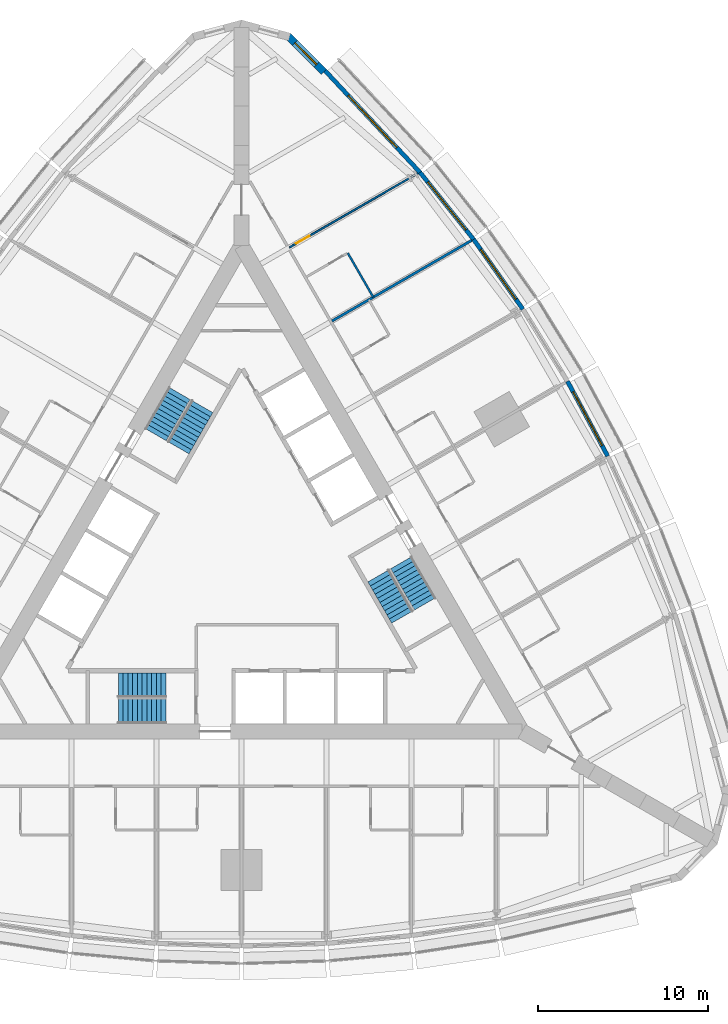
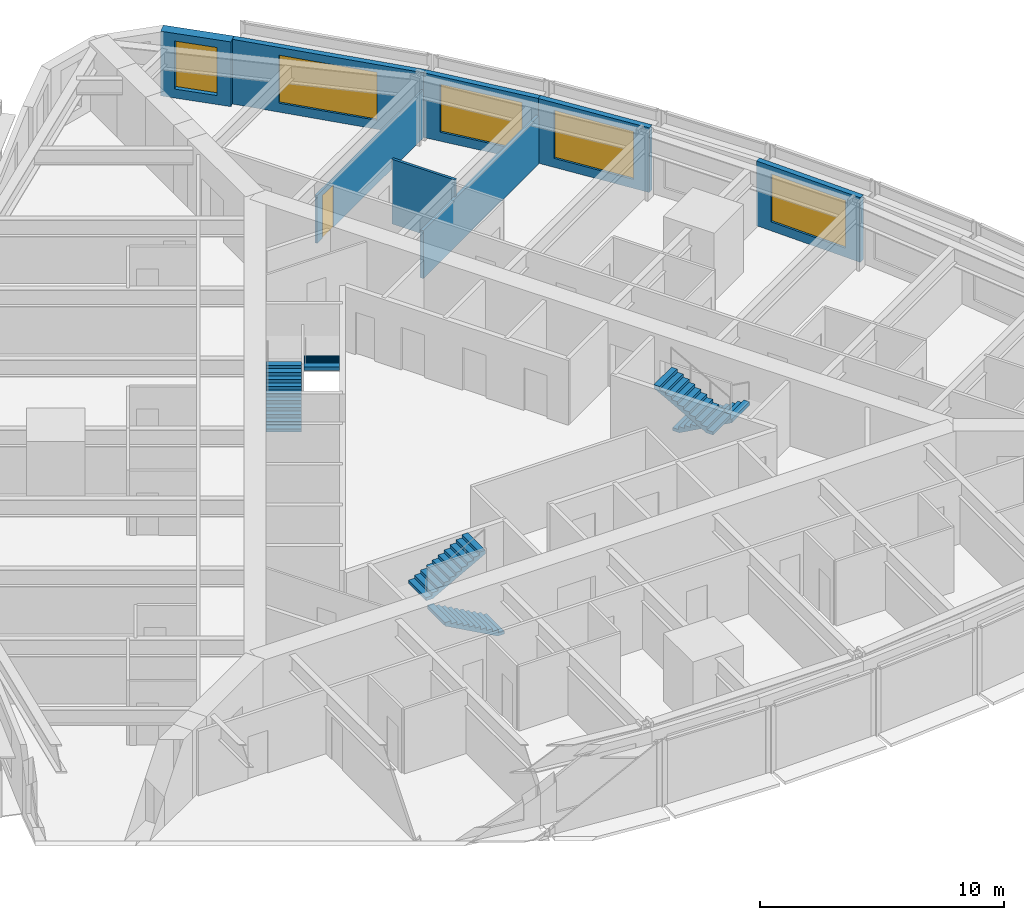
# One storey, part 13 of 14: 8 walls, 6 stair flights, 5 windows, 1 door, 6 openings, 3 elements without a shape of their own.
"""IFC4 building model written with IfcOpenShell, lengths in metres."""

from ifc_helpers import new_model, si_unit, direction, frame, frame_2d, origin, place, context, subcontext, project, spatial, polyline, rectangle, outline, extrude, material, layer, layer_set, type_object, element, fill, aggregate, save


model = new_model("IFC4")

# Units and contexts
model_context = context("Model", 3, precision=1e-05, world=origin(), true_north=direction((0.0, 1.0)))
body_context = subcontext(model_context, "Body", "Model", "MODEL_VIEW")
ifc_project = project(units=[si_unit("LENGTHUNIT", "METRE"), si_unit("AREAUNIT", "SQUARE_METRE"), si_unit("VOLUMEUNIT", "CUBIC_METRE"), si_unit("PLANEANGLEUNIT", "RADIAN"), si_unit("MASSUNIT", "GRAM", prefix="KILO")], contexts=[model_context])

# Site, building, storey
site_placement = place(None, origin())
site = spatial("IfcSite", under=ifc_project, at=site_placement, CompositionType="ELEMENT")
building_placement = place(site_placement, origin())
building = spatial("IfcBuilding", under=site, at=building_placement, Name="Trikona Tower", CompositionType="ELEMENT")
storey_placement = place(building_placement, frame((0.0, 0.0, 35.300048828125)))
storey = spatial("IfcBuildingStorey", under=building, at=storey_placement, Name="L07", CompositionType="ELEMENT", Elevation=35.300048828125)

# Wall
ifc_material_1 = material(Name="Metal stud and cement board", Category="gypsum")
ifc_layer_1 = layer(ifc_material_1, 0.1201171875)
ifc_layer_set_1 = layer_set([ifc_layer_1], Name="Bathroom wall 120")
wall_type_1 = type_object("IfcWallType", Name="Bathroom wall 120", PredefinedType="PLUMBINGWALL", material=ifc_layer_set_1)
wall_1_placement = place(storey_placement, frame((7.75341796875, 16.0234375, 0.0), z_axis=(0.0, 0.0, 1.0), x_axis=(-0.499990139034, 0.866031096941, 0.0)))
element("IfcWall", 1, at=wall_1_placement, inside=storey, type_object=wall_type_1, Name="Bathroom wall 0713.1", PredefinedType="PLUMBINGWALL", context=body_context, shape_type="SweptSolid", body=[
    extrude(rectangle(XDim=3.0, YDim=0.1201171875, at=frame_2d((1.5, 0.0))), origin(), (0.0, 0.0, 1.0), 3.23486328125),
])

# Wall, opening, window
ifc_material_2 = material(Name="Brick-faced precast concrete", Category="masonry")
ifc_layer_2 = layer(ifc_material_2, 0.449951171875)
ifc_layer_set_2 = layer_set([ifc_layer_2], Name="Brick-faced corner wall 450")
wall_type_2 = type_object("IfcWallType", Name="Brick-faced corner wall 450", PredefinedType="SOLIDWALL", material=ifc_layer_set_2)
wall_2_placement = place(storey_placement, frame((4.8408203125, 29.285888671875, 0.0), z_axis=(0.0, 0.0, 1.0), x_axis=(-0.707106781187, 0.707106781187, 0.0)))
wall_2 = element("IfcWall", 2, at=wall_2_placement, inside=storey, type_object=wall_type_2, Name="External wall L07-20", PredefinedType="SOLIDWALL", context=body_context, shape_type="SweptSolid", body=[
    extrude(rectangle(XDim=2.98828125, YDim=0.449951171875, at=frame_2d((1.494140625, 0.0))), origin(), (0.0, 0.0, 1.0), 3.23486328125),
])
opening_1_placement = place(wall_2_placement, frame((0.59423828125, 0.0, 0.449951171875)))
opening_1 = element("IfcOpeningElement", 3, at=opening_1_placement, cuts=wall_2, Name="Opening W1824", PredefinedType="OPENING", context=body_context, shape_type="SweptSolid", body=[
    extrude(rectangle(XDim=1.800048828125, YDim=2.39990234375, at=frame_2d((0.89990234375, 1.199951171875))), frame((0.0, 0.23486328125, 0.0), z_axis=(0.0, -1.0, 0.0), x_axis=(1.0, 0.0, 0.0)), (0.0, 0.0, 1.0), 0.469970703125),
])
ifc_material_3 = material(Name="Aluminium-framed double glazing", Category="aluminium")
window_type_1 = type_object("IfcWindowType", Name="Window 1800x2400", PartitioningType="SINGLE_PANEL", PredefinedType="WINDOW", material=ifc_material_3)
window_1_placement = place(opening_1_placement, origin())
window_1 = element("IfcWindow", 4, at=window_1_placement, inside=storey, type_object=window_type_1, Name="Window 0713", OverallHeight=2.39990234375, OverallWidth=1.800048828125, PartitioningType="SINGLE_PANEL", PredefinedType="WINDOW", context=body_context, shape_type="SweptSolid", body=[
    extrude(rectangle(XDim=1.800048828125, YDim=2.39990234375, at=frame_2d((0.89990234375, 1.199951171875))), frame((0.0, 0.030029296875, 0.0), z_axis=(0.0, -1.0, 0.0), x_axis=(1.0, 0.0, 0.0)), (0.0, 0.0, 1.0), 0.06005859375),
])
fill(opening_1, window_1)

ifc_material_4 = material(Name="Insulated precast concrete spandrel panel", Category="concrete")
ifc_layer_3 = layer(ifc_material_4, 0.25)
ifc_layer_set_3 = layer_set([ifc_layer_3], Name="Inner skin wall 250")
wall_type_3 = type_object("IfcWallType", Name="Inner skin wall 250", PredefinedType="STANDARD", material=ifc_layer_set_3)
wall_3_placement = place(storey_placement, frame((21.546630859375, 6.6708984375, 0.0), z_axis=(0.0, 0.0, 1.0), x_axis=(-0.473412820489, 0.880840678782, 0.0)))
wall_3 = element("IfcWall", 5, at=wall_3_placement, inside=storey, type_object=wall_type_3, Name="External wall L07-15", PredefinedType="STANDARD", context=body_context, shape_type="SweptSolid", body=[
    extrude(rectangle(XDim=5.00244140625, YDim=0.25, at=frame_2d((2.501220703125, 0.0))), origin(), (0.0, 0.0, 1.0), 3.23486328125),
])
opening_2_placement = place(wall_3_placement, frame((0.701171875, 0.0, 0.449951171875)))
opening_2 = element("IfcOpeningElement", 6, at=opening_2_placement, cuts=wall_3, Name="Opening W3624", PredefinedType="OPENING", context=body_context, shape_type="SweptSolid", body=[
    extrude(rectangle(XDim=3.60009765625, YDim=2.39990234375, at=frame_2d((1.800048828125, 1.199951171875))), frame((0.0, 0.135009765625, 0.0), z_axis=(0.0, -1.0, 0.0), x_axis=(1.0, 0.0, 0.0)), (0.0, 0.0, 1.0), 0.27001953125),
])
ifc_material_5 = material(Name="Aluminium-framed double glazing", Category="aluminium")
window_type_2 = type_object("IfcWindowType", Name="Window 3600x2400", PartitioningType="SINGLE_PANEL", PredefinedType="WINDOW", material=ifc_material_5)
window_2_placement = place(opening_2_placement, origin())
window_2 = element("IfcWindow", 7, at=window_2_placement, inside=storey, type_object=window_type_2, Name="Window 0710", OverallHeight=2.39990234375, OverallWidth=3.60009765625, PartitioningType="SINGLE_PANEL", PredefinedType="WINDOW", context=body_context, shape_type="SweptSolid", body=[
    extrude(rectangle(XDim=3.60009765625, YDim=2.39990234375, at=frame_2d((1.800048828125, 1.199951171875))), frame((0.0, 0.030029296875, 0.0), z_axis=(0.0, -1.0, 0.0), x_axis=(1.0, 0.0, 0.0)), (0.0, 0.0, 1.0), 0.06005859375),
])
fill(opening_2, window_2)

wall_4_placement = place(storey_placement, frame((16.5546875, 15.318115234375, 0.0), z_axis=(0.0, 0.0, 1.0), x_axis=(-0.5766431066, 0.81699616132, 0.0)))
wall_4 = element("IfcWall", 8, at=wall_4_placement, inside=storey, type_object=wall_type_3, Name="External wall L07-17", PredefinedType="STANDARD", context=body_context, shape_type="SweptSolid", body=[
    extrude(rectangle(XDim=5.02099609375, YDim=0.25, at=frame_2d((2.510498046875, 0.0))), origin(), (0.0, 0.0, 1.0), 3.23486328125),
])
opening_3_placement = place(wall_4_placement, frame((0.71044921875, 0.0, 0.449951171875)))
opening_3 = element("IfcOpeningElement", 9, at=opening_3_placement, cuts=wall_4, Name="Opening W3624", PredefinedType="OPENING", context=body_context, shape_type="SweptSolid", body=[
    extrude(rectangle(XDim=3.60009765625, YDim=2.39990234375, at=frame_2d((1.800048828125, 1.199951171875))), frame((0.0, 0.135009765625, 0.0), z_axis=(0.0, -1.0, 0.0), x_axis=(1.0, 0.0, 0.0)), (0.0, 0.0, 1.0), 0.27001953125),
])
window_3_placement = place(opening_3_placement, origin())
window_3 = element("IfcWindow", 10, at=window_3_placement, inside=storey, type_object=window_type_2, Name="Window 0712", OverallHeight=2.39990234375, OverallWidth=3.60009765625, PartitioningType="SINGLE_PANEL", PredefinedType="WINDOW", context=body_context, shape_type="SweptSolid", body=[
    extrude(rectangle(XDim=3.60009765625, YDim=2.39990234375, at=frame_2d((1.800048828125, 1.199951171875))), frame((0.0, 0.030029296875, 0.0), z_axis=(0.0, -1.0, 0.0), x_axis=(1.0, 0.0, 0.0)), (0.0, 0.0, 1.0), 0.06005859375),
])
fill(opening_3, window_3)

wall_5_placement = place(storey_placement, frame((13.663818359375, 19.4140625, 0.0), z_axis=(0.0, 0.0, 1.0), x_axis=(-0.624594965756, 0.780948864364, 0.0)))
wall_5 = element("IfcWall", 11, at=wall_5_placement, inside=storey, type_object=wall_type_3, Name="External wall L07-18", PredefinedType="STANDARD", context=body_context, shape_type="SweptSolid", body=[
    extrude(rectangle(XDim=5.0576171875, YDim=0.25, at=frame_2d((2.52880859375, 0.0))), origin(), (0.0, 0.0, 1.0), 3.23486328125),
])
opening_4_placement = place(wall_5_placement, frame((0.728759765625, 0.0, 0.449951171875)))
opening_4 = element("IfcOpeningElement", 12, at=opening_4_placement, cuts=wall_5, Name="Opening W3624", PredefinedType="OPENING", context=body_context, shape_type="SweptSolid", body=[
    extrude(rectangle(XDim=3.60009765625, YDim=2.39990234375, at=frame_2d((1.800048828125, 1.199951171875))), frame((0.0, 0.135009765625, 0.0), z_axis=(0.0, -1.0, 0.0), x_axis=(1.0, 0.0, 0.0)), (0.0, 0.0, 1.0), 0.27001953125),
])
window_4_placement = place(opening_4_placement, origin())
window_4 = element("IfcWindow", 13, at=window_4_placement, inside=storey, type_object=window_type_2, Name="Window 0713.1", OverallHeight=2.39990234375, OverallWidth=3.60009765625, PartitioningType="SINGLE_PANEL", PredefinedType="WINDOW", context=body_context, shape_type="SweptSolid", body=[
    extrude(rectangle(XDim=3.60009765625, YDim=2.39990234375, at=frame_2d((1.800048828125, 1.199951171875))), frame((0.0, 0.030029296875, 0.0), z_axis=(0.0, -1.0, 0.0), x_axis=(1.0, 0.0, 0.0)), (0.0, 0.0, 1.0), 0.06005859375),
])
fill(opening_4, window_4)

wall_6_placement = place(storey_placement, frame((10.510986328125, 23.356689453125, 0.0), z_axis=(0.0, 0.0, 1.0), x_axis=(-0.682289646561, 0.731081964075, 0.0)))
wall_6 = element("IfcWall", 14, at=wall_6_placement, inside=storey, type_object=wall_type_3, Name="External wall L07-19", PredefinedType="STANDARD", context=body_context, shape_type="SweptSolid", body=[
    extrude(rectangle(XDim=8.2109375, YDim=0.25, at=frame_2d((4.10546875, 0.0))), origin(), (0.0, 0.0, 1.0), 3.23486328125),
])
opening_5_placement = place(wall_6_placement, frame((2.005615234375, 0.0, 0.449951171875)))
opening_5 = element("IfcOpeningElement", 15, at=opening_5_placement, cuts=wall_6, Name="Opening W4224", PredefinedType="OPENING", context=body_context, shape_type="SweptSolid", body=[
    extrude(rectangle(XDim=4.199951171875, YDim=2.39990234375, at=frame_2d((2.10009765625, 1.199951171875))), frame((0.0, 0.135009765625, 0.0), z_axis=(0.0, -1.0, 0.0), x_axis=(1.0, 0.0, 0.0)), (0.0, 0.0, 1.0), 0.27001953125),
])
ifc_material_6 = material(Name="Aluminium-framed double glazing", Category="aluminium")
window_type_3 = type_object("IfcWindowType", Name="Window 4200x2400", PartitioningType="SINGLE_PANEL", PredefinedType="WINDOW", material=ifc_material_6)
window_5_placement = place(opening_5_placement, origin())
window_5 = element("IfcWindow", 16, at=window_5_placement, inside=storey, type_object=window_type_3, Name="Window 0713", OverallHeight=2.39990234375, OverallWidth=4.199951171875, PartitioningType="SINGLE_PANEL", PredefinedType="WINDOW", context=body_context, shape_type="SweptSolid", body=[
    extrude(rectangle(XDim=4.199951171875, YDim=2.39990234375, at=frame_2d((2.10009765625, 1.199951171875))), frame((0.0, 0.030029296875, 0.0), z_axis=(0.0, -1.0, 0.0), x_axis=(1.0, 0.0, 0.0)), (0.0, 0.0, 1.0), 0.06005859375),
])
fill(opening_5, window_5)

# Wall
ifc_material_7 = material(Name="Metal stud and gypsum board, 1-hour acoustic", Category="gypsum")
ifc_layer_4 = layer(ifc_material_7, 0.14990234375)
ifc_layer_set_4 = layer_set([ifc_layer_4], Name="Party wall 150")
wall_type_4 = type_object("IfcWallType", Name="Party wall 150", PredefinedType="PARTITIONING", material=ifc_layer_set_4)
wall_7_placement = place(storey_placement, frame((5.32861328125, 14.623291015625, 0.0), z_axis=(0.0, 0.0, 1.0), x_axis=(0.866018409083, 0.500012114982, 0.0)))
element("IfcWall", 17, at=wall_7_placement, inside=storey, type_object=wall_type_4, Name="Partition L07 F2 u10", PredefinedType="PARTITIONING", context=body_context, shape_type="SweptSolid", body=[
    extrude(rectangle(XDim=9.484619140625, YDim=0.14990234375, at=frame_2d((4.7421875, 0.0))), origin(), (0.0, 0.0, 1.0), 2.38916015625),
])

# Wall, opening, door
ifc_material_8 = material(Name="Metal stud and gypsum board, acoustic", Category="gypsum")
ifc_layer_5 = layer(ifc_material_8, 0.10009765625)
ifc_layer_set_5 = layer_set([ifc_layer_5], Name="Suite partition 100")
wall_type_5 = type_object("IfcWallType", Name="Suite partition 100", PredefinedType="PARTITIONING", material=ifc_layer_set_5)
wall_8_placement = place(storey_placement, frame((2.82861328125, 18.95361328125, 0.0), z_axis=(0.0, 0.0, 1.0), x_axis=(0.866020536561, 0.500008430184, 0.0)))
wall_8 = element("IfcWall", 18, at=wall_8_placement, inside=storey, type_object=wall_type_5, Name="Suite partition L07 F2 u15", PredefinedType="PARTITIONING", context=body_context, shape_type="SweptSolid", body=[
    extrude(rectangle(XDim=8.719970703125, YDim=0.10009765625, at=frame_2d((4.35986328125, 0.0))), origin(), (0.0, 0.0, 1.0), 2.38916015625),
])
opening_6_placement = place(wall_8_placement, frame((0.449951171875, 0.0, 0.0)))
opening_6 = element("IfcOpeningElement", 19, at=opening_6_placement, cuts=wall_8, Name="Opening D13", PredefinedType="OPENING", context=body_context, shape_type="SweptSolid", body=[
    extrude(rectangle(XDim=0.89990234375, YDim=2.1298828125, at=frame_2d((0.449951171875, 1.06494140625))), frame((0.0, 0.06005859375, 0.0), z_axis=(0.0, -1.0, 0.0), x_axis=(1.0, 0.0, 0.0)), (0.0, 0.0, 1.0), 0.1201171875),
])
ifc_material_9 = material(Name="Steel door frame with solid-core timber leaf", Category="steel")
door_type = type_object("IfcDoorType", Name="Suite door 900x2130", OperationType="SINGLE_SWING_LEFT", PredefinedType="DOOR", material=ifc_material_9)
door_placement = place(opening_6_placement, origin())
door = element("IfcDoor", 20, at=door_placement, inside=storey, type_object=door_type, Name="Suite door 0713", OperationType="SINGLE_SWING_LEFT", OverallHeight=2.1298828125, OverallWidth=0.89990234375, PredefinedType="DOOR", context=body_context, shape_type="SweptSolid", body=[
    extrude(rectangle(XDim=0.89990234375, YDim=2.1298828125, at=frame_2d((0.449951171875, 1.06494140625))), frame((0.0, 0.02490234375, 0.0), z_axis=(0.0, -1.0, 0.0), x_axis=(1.0, 0.0, 0.0)), (0.0, 0.0, 1.0), 0.050048828125),
])
fill(opening_6, door)

# Stair, stair flights
ifc_material_10 = material(Name="Concrete f'c 5000 psi", Category="concrete")
stair_type = type_object("IfcStairType", Name="Core stair", PredefinedType="HALF_TURN_STAIR", material=ifc_material_10)
stair_1_placement = place(storey_placement, origin())
stair_1 = element("IfcStair", 21, at=stair_1_placement, inside=storey, type_object=stair_type, Name="Stair A L07", PredefinedType="HALF_TURN_STAIR")
ifc_material_11 = material(Name="Concrete f'c 5000 psi", Category="concrete")
stair_flight_type = type_object("IfcStairFlightType", Name="Core stair flight 1450", PredefinedType="STRAIGHT", material=ifc_material_11)
stair_flight_1_placement = place(storey_placement, frame((-4.449951171875, -8.351318359375, 0.0), z_axis=(0.0, 0.0, 1.0), x_axis=(-1.0, 0.0, 0.0)))
stair_flight_1 = element("IfcStairFlight", 22, at=stair_flight_1_placement, type_object=stair_flight_type, Name="ST-A flight 1", NumberOfRisers=11, NumberOfTreads=10, PredefinedType="STRAIGHT", RiserHeight=0.154545, TreadLength=0.28, context=body_context, shape_type="SweptSolid", body=[
    extrude(outline(polyline([(0.0, 0.0), (0.0, 0.154541015625), (0.280029296875, 0.154541015625), (0.280029296875, 0.30908203125), (0.56005859375, 0.30908203125), (0.56005859375, 0.463623046875), (0.840087890625, 0.463623046875), (0.840087890625, 0.6181640625), (1.1201171875, 0.6181640625), (1.1201171875, 0.772705078125), (1.39990234375, 0.772705078125), (1.39990234375, 0.92724609375), (1.679931640625, 0.92724609375), (1.679931640625, 1.081787109375), (1.9599609375, 1.081787109375), (1.9599609375, 1.236328125), (2.239990234375, 1.236328125), (2.239990234375, 1.390869140625), (2.52001953125, 1.390869140625), (2.52001953125, 1.54541015625), (2.800048828125, 1.54541015625), (2.800048828125, 1.699951171875), (2.800048828125, 1.374267578125), (0.310302734375, 0.0), (0.0, 0.0)])), frame((0.0, 0.72509765625, 0.0), z_axis=(0.0, -1.0, 0.0), x_axis=(1.0, 0.0, 0.0)), (0.0, 0.0, 1.0), 1.449951171875),
])
stair_flight_2_placement = place(storey_placement, frame((-7.25, -6.80126953125, 1.699951171875), z_axis=(0.0, 0.0, 1.0), x_axis=(1.0, 0.0, 0.0)))
stair_flight_2 = element("IfcStairFlight", 23, at=stair_flight_2_placement, type_object=stair_flight_type, Name="ST-A flight 2", NumberOfRisers=11, NumberOfTreads=10, PredefinedType="STRAIGHT", RiserHeight=0.154545, TreadLength=0.28, context=body_context, shape_type="SweptSolid", body=[
    extrude(outline(polyline([(0.0, 0.0), (0.0, 0.154541015625), (0.280029296875, 0.154541015625), (0.280029296875, 0.30908203125), (0.56005859375, 0.30908203125), (0.56005859375, 0.463623046875), (0.840087890625, 0.463623046875), (0.840087890625, 0.6181640625), (1.1201171875, 0.6181640625), (1.1201171875, 0.772705078125), (1.39990234375, 0.772705078125), (1.39990234375, 0.92724609375), (1.679931640625, 0.92724609375), (1.679931640625, 1.081787109375), (1.9599609375, 1.081787109375), (1.9599609375, 1.236328125), (2.239990234375, 1.236328125), (2.239990234375, 1.390869140625), (2.52001953125, 1.390869140625), (2.52001953125, 1.54541015625), (2.800048828125, 1.54541015625), (2.800048828125, 1.699951171875), (2.800048828125, 1.374267578125), (0.310302734375, 0.0), (0.0, 0.0)])), frame((0.0, 0.72509765625, 0.0), z_axis=(0.0, -1.0, 0.0), x_axis=(1.0, 0.0, 0.0)), (0.0, 0.0, 1.0), 1.449951171875),
])
aggregate(stair_1, [stair_flight_1, stair_flight_2])

stair_2_placement = place(storey_placement, origin())
stair_2 = element("IfcStair", 24, at=stair_2_placement, inside=storey, type_object=stair_type, Name="Stair B L07", PredefinedType="HALF_TURN_STAIR")
stair_flight_3_placement = place(storey_placement, frame((9.407470703125, 0.408447265625, 0.0), z_axis=(0.0, 0.0, 1.0), x_axis=(0.5, -0.866025403784, 0.0)))
stair_flight_3 = element("IfcStairFlight", 25, at=stair_flight_3_placement, type_object=stair_flight_type, Name="ST-B flight 1", NumberOfRisers=11, NumberOfTreads=10, PredefinedType="STRAIGHT", RiserHeight=0.154545, TreadLength=0.28, context=body_context, shape_type="SweptSolid", body=[
    extrude(outline(polyline([(0.0, 0.0), (0.0, 0.154541015625), (0.280029296875, 0.154541015625), (0.280029296875, 0.30908203125), (0.56005859375, 0.30908203125), (0.56005859375, 0.463623046875), (0.840087890625, 0.463623046875), (0.840087890625, 0.6181640625), (1.1201171875, 0.6181640625), (1.1201171875, 0.772705078125), (1.39990234375, 0.772705078125), (1.39990234375, 0.92724609375), (1.679931640625, 0.92724609375), (1.679931640625, 1.081787109375), (1.9599609375, 1.081787109375), (1.9599609375, 1.236328125), (2.239990234375, 1.236328125), (2.239990234375, 1.390869140625), (2.52001953125, 1.390869140625), (2.52001953125, 1.54541015625), (2.800048828125, 1.54541015625), (2.800048828125, 1.699951171875), (2.800048828125, 1.374267578125), (0.310302734375, 0.0), (0.0, 0.0)])), frame((0.0, 0.72509765625, 0.0), z_axis=(0.0, -1.0, 0.0), x_axis=(1.0, 0.0, 0.0)), (0.0, 0.0, 1.0), 1.449951171875),
])
stair_flight_4_placement = place(storey_placement, frame((9.465087890625, -2.79150390625, 1.699951171875), z_axis=(0.0, 0.0, 1.0), x_axis=(-0.5, 0.866025403784, 0.0)))
stair_flight_4 = element("IfcStairFlight", 26, at=stair_flight_4_placement, type_object=stair_flight_type, Name="ST-B flight 2", NumberOfRisers=11, NumberOfTreads=10, PredefinedType="STRAIGHT", RiserHeight=0.154545, TreadLength=0.28, context=body_context, shape_type="SweptSolid", body=[
    extrude(outline(polyline([(0.0, 0.0), (0.0, 0.154541015625), (0.280029296875, 0.154541015625), (0.280029296875, 0.30908203125), (0.56005859375, 0.30908203125), (0.56005859375, 0.463623046875), (0.840087890625, 0.463623046875), (0.840087890625, 0.6181640625), (1.1201171875, 0.6181640625), (1.1201171875, 0.772705078125), (1.39990234375, 0.772705078125), (1.39990234375, 0.92724609375), (1.679931640625, 0.92724609375), (1.679931640625, 1.081787109375), (1.9599609375, 1.081787109375), (1.9599609375, 1.236328125), (2.239990234375, 1.236328125), (2.239990234375, 1.390869140625), (2.52001953125, 1.390869140625), (2.52001953125, 1.54541015625), (2.800048828125, 1.54541015625), (2.800048828125, 1.699951171875), (2.800048828125, 1.374267578125), (0.310302734375, 0.0), (0.0, 0.0)])), frame((0.0, 0.72509765625, 0.0), z_axis=(0.0, -1.0, 0.0), x_axis=(1.0, 0.0, 0.0)), (0.0, 0.0, 1.0), 1.449951171875),
])
aggregate(stair_2, [stair_flight_3, stair_flight_4])

stair_3_placement = place(storey_placement, origin())
stair_3 = element("IfcStair", 27, at=stair_3_placement, inside=storey, type_object=stair_type, Name="Stair C L07", PredefinedType="HALF_TURN_STAIR")
stair_flight_5_placement = place(storey_placement, frame((-5.057373046875, 7.94287109375, 0.0), z_axis=(0.0, 0.0, 1.0), x_axis=(0.5, 0.866025403784, 0.0)))
stair_flight_5 = element("IfcStairFlight", 28, at=stair_flight_5_placement, type_object=stair_flight_type, Name="ST-C flight 1", NumberOfRisers=11, NumberOfTreads=10, PredefinedType="STRAIGHT", RiserHeight=0.154545, TreadLength=0.28, context=body_context, shape_type="SweptSolid", body=[
    extrude(outline(polyline([(0.0, 0.0), (0.0, 0.154541015625), (0.280029296875, 0.154541015625), (0.280029296875, 0.30908203125), (0.56005859375, 0.30908203125), (0.56005859375, 0.463623046875), (0.840087890625, 0.463623046875), (0.840087890625, 0.6181640625), (1.1201171875, 0.6181640625), (1.1201171875, 0.772705078125), (1.39990234375, 0.772705078125), (1.39990234375, 0.92724609375), (1.679931640625, 0.92724609375), (1.679931640625, 1.081787109375), (1.9599609375, 1.081787109375), (1.9599609375, 1.236328125), (2.239990234375, 1.236328125), (2.239990234375, 1.390869140625), (2.52001953125, 1.390869140625), (2.52001953125, 1.54541015625), (2.800048828125, 1.54541015625), (2.800048828125, 1.699951171875), (2.800048828125, 1.374267578125), (0.310302734375, 0.0), (0.0, 0.0)])), frame((0.0, 0.72509765625, 0.0), z_axis=(0.0, -1.0, 0.0), x_axis=(1.0, 0.0, 0.0)), (0.0, 0.0, 1.0), 1.449951171875),
])
stair_flight_6_placement = place(storey_placement, frame((-2.315185546875, 9.5927734375, 1.699951171875), z_axis=(0.0, 0.0, 1.0), x_axis=(-0.5, -0.866025403784, 0.0)))
stair_flight_6 = element("IfcStairFlight", 29, at=stair_flight_6_placement, type_object=stair_flight_type, Name="ST-C flight 2", NumberOfRisers=11, NumberOfTreads=10, PredefinedType="STRAIGHT", RiserHeight=0.154545, TreadLength=0.28, context=body_context, shape_type="SweptSolid", body=[
    extrude(outline(polyline([(0.0, 0.0), (0.0, 0.154541015625), (0.280029296875, 0.154541015625), (0.280029296875, 0.30908203125), (0.56005859375, 0.30908203125), (0.56005859375, 0.463623046875), (0.840087890625, 0.463623046875), (0.840087890625, 0.6181640625), (1.1201171875, 0.6181640625), (1.1201171875, 0.772705078125), (1.39990234375, 0.772705078125), (1.39990234375, 0.92724609375), (1.679931640625, 0.92724609375), (1.679931640625, 1.081787109375), (1.9599609375, 1.081787109375), (1.9599609375, 1.236328125), (2.239990234375, 1.236328125), (2.239990234375, 1.390869140625), (2.52001953125, 1.390869140625), (2.52001953125, 1.54541015625), (2.800048828125, 1.54541015625), (2.800048828125, 1.699951171875), (2.800048828125, 1.374267578125), (0.310302734375, 0.0), (0.0, 0.0)])), frame((0.0, 0.72509765625, 0.0), z_axis=(0.0, -1.0, 0.0), x_axis=(1.0, 0.0, 0.0)), (0.0, 0.0, 1.0), 1.449951171875),
])
aggregate(stair_3, [stair_flight_5, stair_flight_6])

save(model, "model.ifc")
